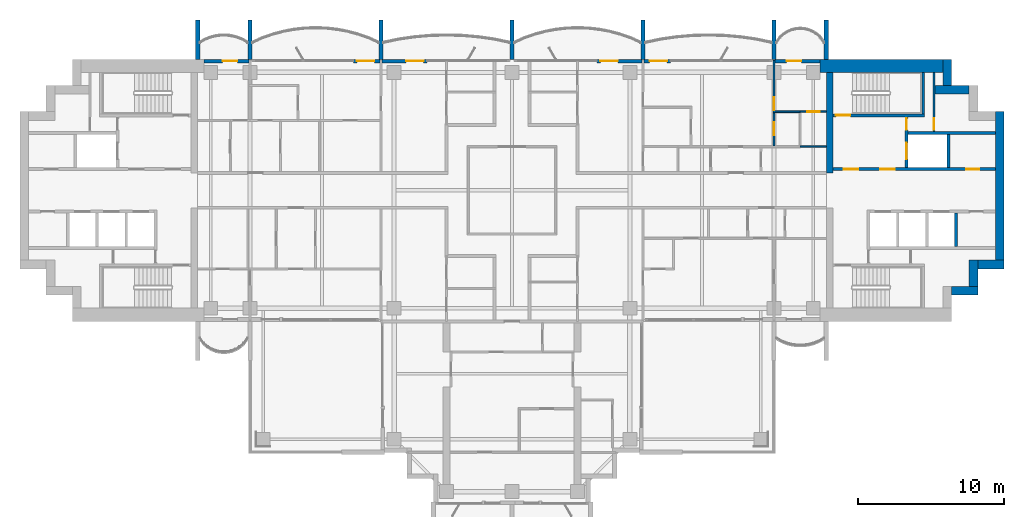
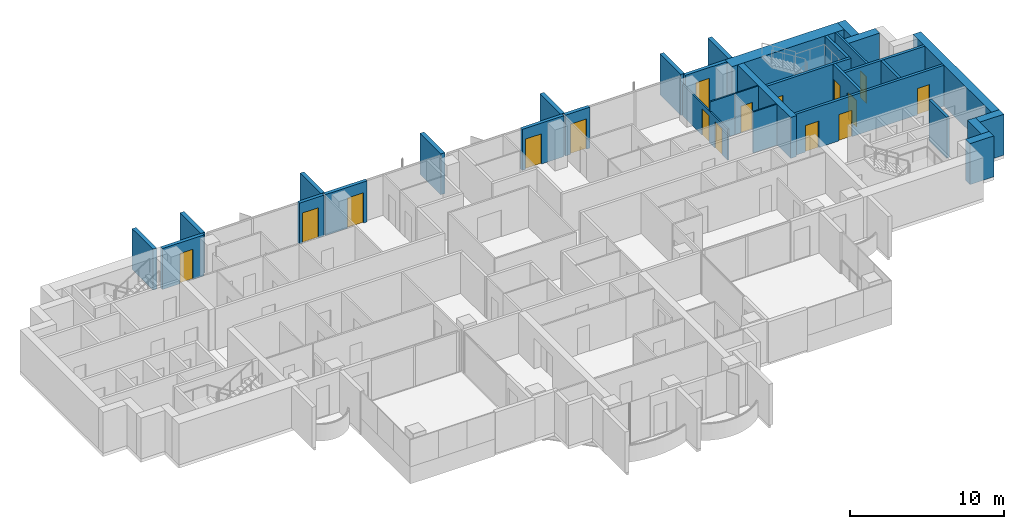
# One storey, part 13 of 18: 33 walls, 16 doors, 16 openings.
"""IFC4 building model written with IfcOpenShell, lengths in metres."""

from ifc_helpers import new_model, si_unit, direction, frame, frame_2d, origin, place, context, subcontext, project, spatial, rectangle, extrude, material, layer, layer_set, type_object, element, fill, save


model = new_model("IFC4")

# Units and contexts
model_context = context("Model", 3, precision=1e-05, world=origin(), true_north=direction((0.0, 1.0)))
body_context = subcontext(model_context, "Body", "Model", "MODEL_VIEW")
ifc_project = project(units=[si_unit("LENGTHUNIT", "METRE"), si_unit("AREAUNIT", "SQUARE_METRE"), si_unit("VOLUMEUNIT", "CUBIC_METRE"), si_unit("PLANEANGLEUNIT", "RADIAN"), si_unit("MASSUNIT", "GRAM", prefix="KILO")], contexts=[model_context])

# Site, building, storey
site_placement = place(None, origin())
site = spatial("IfcSite", under=ifc_project, at=site_placement, CompositionType="ELEMENT")
building_placement = place(site_placement, origin())
building = spatial("IfcBuilding", under=site, at=building_placement, Name="Perihelion Cross Residences", CompositionType="ELEMENT")
storey_placement = place(building_placement, frame((0.0, 0.0, 173.60009765625)))
storey = spatial("IfcBuildingStorey", under=building, at=storey_placement, Name="L42", CompositionType="ELEMENT", Elevation=173.60009765625)

# Wall, opening, door
ifc_material_1 = material(Name="Concrete C30/37, bronze-clad", Category="concrete")
ifc_layer_1 = layer(ifc_material_1, 0.25)
ifc_layer_set_1 = layer_set([ifc_layer_1], Name="Bronze-clad pier wall 250")
wall_type_1 = type_object("IfcWallType", Name="Bronze-clad pier wall 250", PredefinedType="SOLIDWALL", material=ifc_layer_set_1)
wall_1_placement = place(storey_placement, frame((21.175048828125, 8.875, 0.0), z_axis=(0.0, 0.0, 1.0), x_axis=(-1.0, 0.0, 0.0)))
wall_1 = element("IfcWall", 1, at=wall_1_placement, inside=storey, type_object=wall_type_1, Name="Wall FW1 L42 east side north bay 1 pier", PredefinedType="SOLIDWALL", context=body_context, shape_type="SweptSolid", body=[
    extrude(rectangle(XDim=3.114990234375, YDim=0.25, at=frame_2d((1.5576171875, 0.0))), origin(), (0.0, 0.0, 1.0), 3.25),
])
opening_1_placement = place(wall_1_placement, frame((1.300048828125, 0.0, 0.0)))
opening_1 = element("IfcOpeningElement", 2, at=opening_1_placement, cuts=wall_1, Name="Opening L42.E01", PredefinedType="OPENING", context=body_context, shape_type="SweptSolid", body=[
    extrude(rectangle(XDim=1.0, YDim=2.39990234375, at=frame_2d((0.5, 1.199951171875))), frame((0.0, 0.135009765625, 0.0), z_axis=(0.0, -1.0, 0.0), x_axis=(1.0, 0.0, 0.0)), (0.0, 0.0, 1.0), 0.27001953125),
])
ifc_material_2 = material(Name="Bronze anodised aluminium, glazed", Category="aluminium")
door_type_1 = type_object("IfcDoorType", Name="Balcony door 1000 x 2400", OperationType="NOTDEFINED", PredefinedType="DOOR", material=ifc_material_2)
door_1_placement = place(opening_1_placement, origin())
door_1 = element("IfcDoor", 3, at=door_1_placement, inside=storey, type_object=door_type_1, Name="Door L42.E01 east side north bay 1", OperationType="SINGLE_SWING_LEFT", OverallHeight=2.39990234375, OverallWidth=1.0, PredefinedType="DOOR", context=body_context, shape_type="SweptSolid", body=[
    extrude(rectangle(XDim=1.0, YDim=2.39990234375, at=frame_2d((0.5, 1.199951171875))), frame((0.0, 0.02490234375, 0.0), z_axis=(0.0, -1.0, 0.0), x_axis=(1.0, 0.0, 0.0)), (0.0, 0.0, 1.0), 0.050048828125),
])
fill(opening_1, door_1)

wall_2_placement = place(storey_placement, frame((10.89990234375, 8.875, 0.0), z_axis=(0.0, 0.0, 1.0), x_axis=(-1.0, 0.0, 0.0)))
wall_2 = element("IfcWall", 4, at=wall_2_placement, inside=storey, type_object=wall_type_1, Name="Wall FW1 L42 east side north bay 2 pier", PredefinedType="SOLIDWALL", context=body_context, shape_type="SweptSolid", body=[
    extrude(rectangle(XDim=1.83984375, YDim=0.25, at=frame_2d((0.919921875, 0.0))), origin(), (0.0, 0.0, 1.0), 3.25),
])
opening_2_placement = place(wall_2_placement, frame((0.25, 0.0, 0.0)))
opening_2 = element("IfcOpeningElement", 5, at=opening_2_placement, cuts=wall_2, Name="Opening L42.E02", PredefinedType="OPENING", context=body_context, shape_type="SweptSolid", body=[
    extrude(rectangle(XDim=1.199951171875, YDim=2.39990234375, at=frame_2d((0.60009765625, 1.199951171875))), frame((0.0, 0.135009765625, 0.0), z_axis=(0.0, -1.0, 0.0), x_axis=(1.0, 0.0, 0.0)), (0.0, 0.0, 1.0), 0.27001953125),
])
ifc_material_3 = material(Name="Bronze anodised aluminium, glazed", Category="aluminium")
door_type_2 = type_object("IfcDoorType", Name="Balcony door 1200 x 2400", OperationType="NOTDEFINED", PredefinedType="DOOR", material=ifc_material_3)
door_2_placement = place(opening_2_placement, origin())
door_2 = element("IfcDoor", 6, at=door_2_placement, inside=storey, type_object=door_type_2, Name="Door L42.E02 east side north bay 2", OperationType="SINGLE_SWING_RIGHT", OverallHeight=2.39990234375, OverallWidth=1.199951171875, PredefinedType="DOOR", context=body_context, shape_type="SweptSolid", body=[
    extrude(rectangle(XDim=1.199951171875, YDim=2.39990234375, at=frame_2d((0.60009765625, 1.199951171875))), frame((0.0, 0.02490234375, 0.0), z_axis=(0.0, -1.0, 0.0), x_axis=(1.0, 0.0, 0.0)), (0.0, 0.0, 1.0), 0.050048828125),
])
fill(opening_2, door_2)

wall_3_placement = place(storey_placement, frame((8.93994140625, 8.875, 0.0), z_axis=(0.0, 0.0, 1.0), x_axis=(-1.0, 0.0, 0.0)))
wall_3 = element("IfcWall", 7, at=wall_3_placement, inside=storey, type_object=wall_type_1, Name="Wall FW1 L42 north side east bay 1 pier", PredefinedType="SOLIDWALL", context=body_context, shape_type="SweptSolid", body=[
    extrude(rectangle(XDim=3.114990234375, YDim=0.25, at=frame_2d((1.5576171875, 0.0))), origin(), (0.0, 0.0, 1.0), 3.25),
])
opening_3_placement = place(wall_3_placement, frame((1.6650390625, 0.0, 0.0)))
opening_3 = element("IfcOpeningElement", 8, at=opening_3_placement, cuts=wall_3, Name="Opening L42.E03", PredefinedType="OPENING", context=body_context, shape_type="SweptSolid", body=[
    extrude(rectangle(XDim=1.199951171875, YDim=2.39990234375, at=frame_2d((0.60009765625, 1.199951171875))), frame((0.0, 0.135009765625, 0.0), z_axis=(0.0, -1.0, 0.0), x_axis=(1.0, 0.0, 0.0)), (0.0, 0.0, 1.0), 0.27001953125),
])
door_3_placement = place(opening_3_placement, origin())
door_3 = element("IfcDoor", 9, at=door_3_placement, inside=storey, type_object=door_type_2, Name="Door L42.E03 north side east bay 1", OperationType="SINGLE_SWING_LEFT", OverallHeight=2.39990234375, OverallWidth=1.199951171875, PredefinedType="DOOR", context=body_context, shape_type="SweptSolid", body=[
    extrude(rectangle(XDim=1.199951171875, YDim=2.39990234375, at=frame_2d((0.60009765625, 1.199951171875))), frame((0.0, 0.02490234375, 0.0), z_axis=(0.0, -1.0, 0.0), x_axis=(1.0, 0.0, 0.0)), (0.0, 0.0, 1.0), 0.050048828125),
])
fill(opening_3, door_3)

wall_4_placement = place(storey_placement, frame((-5.824951171875, 8.875, 0.0), z_axis=(0.0, 0.0, 1.0), x_axis=(-1.0, 0.0, 0.0)))
wall_4 = element("IfcWall", 10, at=wall_4_placement, inside=storey, type_object=wall_type_1, Name="Wall FW1 L42 north side east bay 2 pier", PredefinedType="SOLIDWALL", context=body_context, shape_type="SweptSolid", body=[
    extrude(rectangle(XDim=3.114990234375, YDim=0.25, at=frame_2d((1.5576171875, 0.0))), origin(), (0.0, 0.0, 1.0), 3.25),
])
opening_4_placement = place(wall_4_placement, frame((0.25, 0.0, 0.0)))
opening_4 = element("IfcOpeningElement", 11, at=opening_4_placement, cuts=wall_4, Name="Opening L42.E04", PredefinedType="OPENING", context=body_context, shape_type="SweptSolid", body=[
    extrude(rectangle(XDim=1.199951171875, YDim=2.39990234375, at=frame_2d((0.60009765625, 1.199951171875))), frame((0.0, 0.135009765625, 0.0), z_axis=(0.0, -1.0, 0.0), x_axis=(1.0, 0.0, 0.0)), (0.0, 0.0, 1.0), 0.27001953125),
])
door_4_placement = place(opening_4_placement, origin())
door_4 = element("IfcDoor", 12, at=door_4_placement, inside=storey, type_object=door_type_2, Name="Door L42.E04 north side east bay 2", OperationType="SINGLE_SWING_RIGHT", OverallHeight=2.39990234375, OverallWidth=1.199951171875, PredefinedType="DOOR", context=body_context, shape_type="SweptSolid", body=[
    extrude(rectangle(XDim=1.199951171875, YDim=2.39990234375, at=frame_2d((0.60009765625, 1.199951171875))), frame((0.0, 0.02490234375, 0.0), z_axis=(0.0, -1.0, 0.0), x_axis=(1.0, 0.0, 0.0)), (0.0, 0.0, 1.0), 0.050048828125),
])
fill(opening_4, door_4)

wall_5_placement = place(storey_placement, frame((-9.06005859375, 8.875, 0.0), z_axis=(0.0, 0.0, 1.0), x_axis=(-1.0, 0.0, 0.0)))
wall_5 = element("IfcWall", 13, at=wall_5_placement, inside=storey, type_object=wall_type_1, Name="Wall FW1 L42 west side north bay 1 pier", PredefinedType="SOLIDWALL", context=body_context, shape_type="SweptSolid", body=[
    extrude(rectangle(XDim=1.83984375, YDim=0.25, at=frame_2d((0.919921875, 0.0))), origin(), (0.0, 0.0, 1.0), 3.25),
])
opening_5_placement = place(wall_5_placement, frame((0.389892578125, 0.0, 0.0)))
opening_5 = element("IfcOpeningElement", 14, at=opening_5_placement, cuts=wall_5, Name="Opening L42.E05", PredefinedType="OPENING", context=body_context, shape_type="SweptSolid", body=[
    extrude(rectangle(XDim=1.199951171875, YDim=2.39990234375, at=frame_2d((0.60009765625, 1.199951171875))), frame((0.0, 0.135009765625, 0.0), z_axis=(0.0, -1.0, 0.0), x_axis=(1.0, 0.0, 0.0)), (0.0, 0.0, 1.0), 0.27001953125),
])
door_5_placement = place(opening_5_placement, origin())
door_5 = element("IfcDoor", 15, at=door_5_placement, inside=storey, type_object=door_type_2, Name="Door L42.E05 west side north bay 1", OperationType="SINGLE_SWING_LEFT", OverallHeight=2.39990234375, OverallWidth=1.199951171875, PredefinedType="DOOR", context=body_context, shape_type="SweptSolid", body=[
    extrude(rectangle(XDim=1.199951171875, YDim=2.39990234375, at=frame_2d((0.60009765625, 1.199951171875))), frame((0.0, 0.02490234375, 0.0), z_axis=(0.0, -1.0, 0.0), x_axis=(1.0, 0.0, 0.0)), (0.0, 0.0, 1.0), 0.050048828125),
])
fill(opening_5, door_5)

wall_6_placement = place(storey_placement, frame((-18.06005859375, 8.875, 0.0), z_axis=(0.0, 0.0, 1.0), x_axis=(-1.0, 0.0, 0.0)))
wall_6 = element("IfcWall", 16, at=wall_6_placement, inside=storey, type_object=wall_type_1, Name="Wall FW1 L42 west side north bay 2 pier", PredefinedType="SOLIDWALL", context=body_context, shape_type="SweptSolid", body=[
    extrude(rectangle(XDim=3.114990234375, YDim=0.25, at=frame_2d((1.5576171875, 0.0))), origin(), (0.0, 0.0, 1.0), 3.25),
])
opening_6_placement = place(wall_6_placement, frame((0.81494140625, 0.0, 0.0)))
opening_6 = element("IfcOpeningElement", 17, at=opening_6_placement, cuts=wall_6, Name="Opening L42.E06", PredefinedType="OPENING", context=body_context, shape_type="SweptSolid", body=[
    extrude(rectangle(XDim=1.0, YDim=2.39990234375, at=frame_2d((0.5, 1.199951171875))), frame((0.0, 0.135009765625, 0.0), z_axis=(0.0, -1.0, 0.0), x_axis=(1.0, 0.0, 0.0)), (0.0, 0.0, 1.0), 0.27001953125),
])
door_6_placement = place(opening_6_placement, origin())
door_6 = element("IfcDoor", 18, at=door_6_placement, inside=storey, type_object=door_type_1, Name="Door L42.E06 west side north bay 2", OperationType="SINGLE_SWING_RIGHT", OverallHeight=2.39990234375, OverallWidth=1.0, PredefinedType="DOOR", context=body_context, shape_type="SweptSolid", body=[
    extrude(rectangle(XDim=1.0, YDim=2.39990234375, at=frame_2d((0.5, 1.199951171875))), frame((0.0, 0.02490234375, 0.0), z_axis=(0.0, -1.0, 0.0), x_axis=(1.0, 0.0, 0.0)), (0.0, 0.0, 1.0), 0.050048828125),
])
fill(opening_6, door_6)

# Walls
ifc_material_4 = material(Name="Concrete C60/75", Category="concrete")
ifc_layer_2 = layer(ifc_material_4, 0.449951171875)
ifc_layer_set_2 = layer_set([ifc_layer_2], Name="Core wall, inner 450")
wall_type_2 = type_object("IfcWallType", Name="Core wall, inner 450", PredefinedType="SHEAR", material=ifc_layer_set_2)
wall_7_placement = place(storey_placement, frame((21.824951171875, 1.199951171875, 0.0), z_axis=(0.0, 0.0, 1.0), x_axis=(0.0, 1.0, 0.0)))
element("IfcWall", 19, at=wall_7_placement, inside=storey, type_object=wall_type_2, Name="East core core wall, inner", PredefinedType="SHEAR", context=body_context, shape_type="SweptSolid", body=[
    extrude(rectangle(XDim=6.900146484375, YDim=0.449951171875, at=frame_2d((3.4501953125, 0.0))), origin(), (0.0, 0.0, 1.0), 3.25),
])
ifc_material_5 = material(Name="Concrete C60/75", Category="concrete")
ifc_layer_3 = layer(ifc_material_5, 0.60009765625)
ifc_layer_set_3 = layer_set([ifc_layer_3], Name="Core wall, outer 600")
wall_type_3 = type_object("IfcWallType", Name="Core wall, outer 600", PredefinedType="SHEAR", material=ifc_layer_set_3)
for number, where, z_axis, x_axis, name in (
    (20, (30.199951171875, -6.89990234375, 0.0), (0.0, 0.0, 1.0), (1.0, 0.0, 0.0), "East core core wall, outer"),
    (21, (31.699951171875, -6.60009765625, 0.0), (0.0, 0.0, 1.0), (0.0, 1.0, 0.0), "East core core wall, outer"),
    (22, (32.0, -5.10009765625, 0.0), (0.0, 0.0, 1.0), (1.0, 0.0, 0.0), "East core core wall, outer"),
):
    element("IfcWall", number, at=place(storey_placement, frame(where, z_axis=z_axis, x_axis=x_axis)), inside=storey, type_object=wall_type_3, Name=name, PredefinedType="SHEAR", context=body_context, shape_type="SweptSolid", body=[
        extrude(rectangle(XDim=1.800048828125, YDim=0.60009765625, at=frame_2d((0.89990234375, 0.0))), origin(), (0.0, 0.0, 1.0), 3.25),
    ])
wall_8_placement = place(storey_placement, frame((33.5, -4.800048828125, 0.0), z_axis=(0.0, 0.0, 1.0), x_axis=(0.0, 1.0, 0.0)))
element("IfcWall", 23, at=wall_8_placement, inside=storey, type_object=wall_type_3, Name="East core core wall, outer", PredefinedType="SHEAR", context=body_context, shape_type="SweptSolid", body=[
    extrude(rectangle(XDim=10.199951171875, YDim=0.60009765625, at=frame_2d((5.10009765625, 0.0))), origin(), (0.0, 0.0, 1.0), 3.25),
])
wall_9_placement = place(storey_placement, frame((29.074951171875, 6.89990234375, 0.0), z_axis=(0.0, 0.0, 1.0), x_axis=(1.0, 0.0, 0.0)))
element("IfcWall", 24, at=wall_9_placement, inside=storey, type_object=wall_type_3, Name="East core core wall, outer", PredefinedType="SHEAR", context=body_context, shape_type="SweptSolid", body=[
    extrude(rectangle(XDim=2.324951171875, YDim=0.60009765625, at=frame_2d((1.16259765625, 0.0))), origin(), (0.0, 0.0, 1.0), 3.25),
])
wall_10_placement = place(storey_placement, frame((29.89990234375, 7.199951171875, 0.0), z_axis=(0.0, 0.0, 1.0), x_axis=(0.0, 1.0, 0.0)))
element("IfcWall", 25, at=wall_10_placement, inside=storey, type_object=wall_type_3, Name="East core core wall, outer", PredefinedType="SHEAR", context=body_context, shape_type="SweptSolid", body=[
    extrude(rectangle(XDim=1.800048828125, YDim=0.60009765625, at=frame_2d((0.89990234375, 0.0))), origin(), (0.0, 0.0, 1.0), 3.25),
])
ifc_material_6 = material(Name="Concrete C60/75", Category="concrete")
ifc_layer_4 = layer(ifc_material_6, 0.89990234375)
ifc_layer_set_4 = layer_set([ifc_layer_4], Name="Core wall, outer 900")
wall_type_4 = type_object("IfcWallType", Name="Core wall, outer 900", PredefinedType="SHEAR", material=ifc_layer_set_4)
wall_11_placement = place(storey_placement, frame((21.175048828125, 8.550048828125, 0.0), z_axis=(0.0, 0.0, 1.0), x_axis=(1.0, 0.0, 0.0)))
element("IfcWall", 26, at=wall_11_placement, inside=storey, type_object=wall_type_4, Name="East core core wall, outer", PredefinedType="SHEAR", context=body_context, shape_type="SweptSolid", body=[
    extrude(rectangle(XDim=8.425048828125, YDim=0.89990234375, at=frame_2d((4.21240234375, 0.0))), origin(), (0.0, 0.0, 1.0), 3.25),
])

# Wall, openings, doors
ifc_material_7 = material(Name="Plasterboard partition")
ifc_layer_5 = layer(ifc_material_7, 0.1201171875)
ifc_layer_set_5 = layer_set([ifc_layer_5], Name="Partition wall 120")
wall_type_5 = type_object("IfcWallType", Name="Partition wall 120", PredefinedType="PARTITIONING", material=ifc_layer_set_5)
wall_12_placement = place(storey_placement, frame((18.0, 8.919921875, 0.0), z_axis=(0.0, 0.0, 1.0), x_axis=(0.0, -1.0, 0.0)))
wall_12 = element("IfcWall", 27, at=wall_12_placement, inside=storey, type_object=wall_type_5, Name="Partition L42 W031", PredefinedType="PARTITIONING", context=body_context, shape_type="SweptSolid", body=[
    extrude(rectangle(XDim=5.85986328125, YDim=0.1201171875, at=frame_2d((2.929931640625, 0.0))), origin(), (0.0, 0.0, 1.0), 2.47998046875),
])
opening_7_placement = place(wall_12_placement, frame((2.52001953125, 0.0, 0.0)))
opening_7 = element("IfcOpeningElement", 28, at=opening_7_placement, cuts=wall_12, Name="Opening L42.A02", PredefinedType="OPENING", context=body_context, shape_type="SweptSolid", body=[
    extrude(rectangle(XDim=0.89990234375, YDim=2.10009765625, at=frame_2d((0.449951171875, 1.050048828125))), frame((0.0, 0.070068359375, 0.0), z_axis=(0.0, -1.0, 0.0), x_axis=(1.0, 0.0, 0.0)), (0.0, 0.0, 1.0), 0.14013671875),
])
opening_8_placement = place(wall_12_placement, frame((4.239990234375, 0.0, 0.0)))
opening_8 = element("IfcOpeningElement", 29, at=opening_8_placement, cuts=wall_12, Name="Opening L42.A05", PredefinedType="OPENING", context=body_context, shape_type="SweptSolid", body=[
    extrude(rectangle(XDim=0.89990234375, YDim=2.10009765625, at=frame_2d((0.449951171875, 1.050048828125))), frame((0.0, 0.070068359375, 0.0), z_axis=(0.0, -1.0, 0.0), x_axis=(1.0, 0.0, 0.0)), (0.0, 0.0, 1.0), 0.14013671875),
])
ifc_material_8 = material(Name="Timber door leaf", Category="wood")
door_type_3 = type_object("IfcDoorType", Name="Interior room door 900 x 2100", OperationType="SINGLE_SWING_LEFT", PredefinedType="DOOR", material=ifc_material_8)
door_7_placement = place(opening_7_placement, origin())
door_7 = element("IfcDoor", 30, at=door_7_placement, inside=storey, type_object=door_type_3, Name="Door L42.A02", OperationType="SINGLE_SWING_LEFT", OverallHeight=2.10009765625, OverallWidth=0.89990234375, PredefinedType="DOOR", context=body_context, shape_type="SweptSolid", body=[
    extrude(rectangle(XDim=0.89990234375, YDim=2.10009765625, at=frame_2d((0.449951171875, 1.050048828125))), frame((0.0, 0.02490234375, 0.0), z_axis=(0.0, -1.0, 0.0), x_axis=(1.0, 0.0, 0.0)), (0.0, 0.0, 1.0), 0.050048828125),
])
fill(opening_7, door_7)
door_8_placement = place(opening_8_placement, origin())
door_8 = element("IfcDoor", 31, at=door_8_placement, inside=storey, type_object=door_type_3, Name="Door L42.A05", OperationType="SINGLE_SWING_RIGHT", OverallHeight=2.10009765625, OverallWidth=0.89990234375, PredefinedType="DOOR", context=body_context, shape_type="SweptSolid", body=[
    extrude(rectangle(XDim=0.89990234375, YDim=2.10009765625, at=frame_2d((0.449951171875, 1.050048828125))), frame((0.0, 0.02490234375, 0.0), z_axis=(0.0, -1.0, 0.0), x_axis=(1.0, 0.0, 0.0)), (0.0, 0.0, 1.0), 0.050048828125),
])
fill(opening_8, door_8)

# Walls
wall_13_placement = place(storey_placement, frame((17.93994140625, 5.39990234375, 0.0), z_axis=(0.0, 0.0, 1.0), x_axis=(1.0, 0.0, 0.0)))
element("IfcWall", 32, at=wall_13_placement, inside=storey, type_object=wall_type_5, Name="Partition L42 W034", PredefinedType="PARTITIONING", context=body_context, shape_type="SweptSolid", body=[
    extrude(rectangle(XDim=1.860107421875, YDim=0.1201171875, at=frame_2d((0.93017578125, 0.0))), origin(), (0.0, 0.0, 1.0), 3.25),
])
ifc_material_9 = material(Name="Precast concrete C50/60", Category="concrete")
ifc_layer_6 = layer(ifc_material_9, 0.300048828125)
ifc_layer_set_6 = layer_set([ifc_layer_6], Name="Precast concrete C50/60 blade wall 300")
wall_type_6 = type_object("IfcWallType", Name="Precast concrete C50/60 blade wall 300", PredefinedType="SOLIDWALL", material=ifc_layer_set_6)
for number, where, z_axis, x_axis, name in (
    (33, (-21.60009765625, 9.0, 0.0), (0.0, 0.0, 1.0), (0.0, 1.0, 0.0), "Wall BL1 L42 no. 4"),
    (34, (-18.0, 9.0, 0.0), (0.0, 0.0, 1.0), (0.0, 1.0, 0.0), "Wall BL1 L42 no. 2"),
    (35, (-9.0, 9.0, 0.0), (0.0, 0.0, 1.0), (0.0, 1.0, 0.0), "Wall BL1 L42 no. 7"),
    (36, (0.0, 9.0, 0.0), (0.0, 0.0, 1.0), (0.0, 1.0, 0.0), "Wall BL1 L42 no. 9"),
    (37, (9.0, 9.0, 0.0), (0.0, 0.0, 1.0), (0.0, 1.0, 0.0), "Wall BL1 L42 no. 16"),
    (38, (18.0, 9.0, 0.0), (0.0, 0.0, 1.0), (0.0, 1.0, 0.0), "Wall BL1 L42 no. 11"),
    (39, (21.60009765625, 9.0, 0.0), (0.0, 0.0, 1.0), (0.0, 1.0, 0.0), "Wall BL1 L42 no. 13"),
):
    element("IfcWall", number, at=place(storey_placement, frame(where, z_axis=z_axis, x_axis=x_axis)), inside=storey, type_object=wall_type_6, Name=name, PredefinedType="SOLIDWALL", context=body_context, shape_type="SweptSolid", body=[
        extrude(rectangle(XDim=2.699951171875, YDim=0.300048828125, at=frame_2d((1.35009765625, 0.0))), origin(), (0.0, 0.0, 1.0), 3.25),
    ])

# Wall, opening, door
ifc_material_10 = material(Name="Fire-rated board on steel stud", Category="steel")
ifc_layer_7 = layer(ifc_material_10, 0.14990234375)
ifc_layer_set_7 = layer_set([ifc_layer_7], Name="Riser wall 150")
wall_type_7 = type_object("IfcWallType", Name="Riser wall 150", PredefinedType="PARTITIONING", material=ifc_layer_set_7)
wall_14_placement = place(storey_placement, frame((29.0, 4.050048828125, 0.0), z_axis=(0.0, 0.0, 1.0), x_axis=(0.0, 1.0, 0.0)))
wall_14 = element("IfcWall", 40, at=wall_14_placement, inside=storey, type_object=wall_type_7, Name="East core riser wall", PredefinedType="PARTITIONING", context=body_context, shape_type="SweptSolid", body=[
    extrude(rectangle(XDim=4.050048828125, YDim=0.14990234375, at=frame_2d((2.02490234375, 0.0))), origin(), (0.0, 0.0, 1.0), 3.25),
])
opening_9_placement = place(wall_14_placement, frame((0.10009765625, 0.0, 0.0)))
opening_9 = element("IfcOpeningElement", 41, at=opening_9_placement, cuts=wall_14, Name="Opening L42.C12", PredefinedType="OPENING", context=body_context, shape_type="SweptSolid", body=[
    extrude(rectangle(XDim=0.800048828125, YDim=2.10009765625, at=frame_2d((0.39990234375, 1.050048828125))), frame((0.0, 0.0849609375, 0.0), z_axis=(0.0, -1.0, 0.0), x_axis=(1.0, 0.0, 0.0)), (0.0, 0.0, 1.0), 0.169921875),
])
ifc_material_11 = material(Name="Steel, powder coated", Category="steel")
door_type_4 = type_object("IfcDoorType", Name="Riser door 800", OperationType="SINGLE_SWING_LEFT", PredefinedType="DOOR", material=ifc_material_11)
door_9_placement = place(opening_9_placement, origin())
door_9 = element("IfcDoor", 42, at=door_9_placement, inside=storey, type_object=door_type_4, Name="East core riser door", OperationType="SINGLE_SWING_LEFT", OverallHeight=2.10009765625, OverallWidth=0.800048828125, PredefinedType="DOOR", context=body_context, shape_type="SweptSolid", body=[
    extrude(rectangle(XDim=0.800048828125, YDim=2.10009765625, at=frame_2d((0.39990234375, 1.050048828125))), frame((0.0, 0.02490234375, 0.0), z_axis=(0.0, -1.0, 0.0), x_axis=(1.0, 0.0, 0.0)), (0.0, 0.0, 1.0), 0.050048828125),
])
fill(opening_9, door_9)

# Wall, openings, doors
ifc_material_12 = material(Name="Concrete C50/60", Category="concrete")
ifc_layer_8 = layer(ifc_material_12, 0.199951171875)
ifc_layer_set_8 = layer_set([ifc_layer_8], Name="Shaft wall 200")
wall_type_8 = type_object("IfcWallType", Name="Shaft wall 200", PredefinedType="SOLIDWALL", material=ifc_layer_set_8)
wall_15_placement = place(storey_placement, frame((22.050048828125, 1.449951171875, 0.0), z_axis=(0.0, 0.0, 1.0), x_axis=(1.0, 0.0, 0.0)))
wall_15 = element("IfcWall", 43, at=wall_15_placement, inside=storey, type_object=wall_type_8, Name="East core shaft wall", PredefinedType="SOLIDWALL", context=body_context, shape_type="SweptSolid", body=[
    extrude(rectangle(XDim=11.14990234375, YDim=0.199951171875, at=frame_2d((5.574951171875, 0.0))), origin(), (0.0, 0.0, 1.0), 3.25),
])
opening_10_placement = place(wall_15_placement, frame((0.75, 0.0, 0.0)))
opening_10 = element("IfcOpeningElement", 44, at=opening_10_placement, cuts=wall_15, Name="Opening L42.C07", PredefinedType="OPENING", context=body_context, shape_type="SweptSolid", body=[
    extrude(rectangle(XDim=1.0, YDim=2.10009765625, at=frame_2d((0.5, 1.050048828125))), frame((0.0, 0.10986328125, 0.0), z_axis=(0.0, -1.0, 0.0), x_axis=(1.0, 0.0, 0.0)), (0.0, 0.0, 1.0), 0.219970703125),
])
opening_11_placement = place(wall_15_placement, frame((3.25, 0.0, 0.0)))
opening_11 = element("IfcOpeningElement", 45, at=opening_11_placement, cuts=wall_15, Name="Opening L42.C09", PredefinedType="OPENING", context=body_context, shape_type="SweptSolid", body=[
    extrude(rectangle(XDim=1.0, YDim=2.10009765625, at=frame_2d((0.5, 1.050048828125))), frame((0.0, 0.10986328125, 0.0), z_axis=(0.0, -1.0, 0.0), x_axis=(1.0, 0.0, 0.0)), (0.0, 0.0, 1.0), 0.219970703125),
])
opening_12_placement = place(wall_15_placement, frame((9.14990234375, 0.0, 0.0)))
opening_12 = element("IfcOpeningElement", 46, at=opening_12_placement, cuts=wall_15, Name="Opening L42.C13", PredefinedType="OPENING", context=body_context, shape_type="SweptSolid", body=[
    extrude(rectangle(XDim=0.89990234375, YDim=2.10009765625, at=frame_2d((0.449951171875, 1.050048828125))), frame((0.0, 0.10986328125, 0.0), z_axis=(0.0, -1.0, 0.0), x_axis=(1.0, 0.0, 0.0)), (0.0, 0.0, 1.0), 0.219970703125),
])
ifc_material_13 = material(Name="Steel, powder coated", Category="steel")
door_type_5 = type_object("IfcDoorType", Name="Lobby door 1000", OperationType="SINGLE_SWING_LEFT", PredefinedType="DOOR", material=ifc_material_13)
door_10_placement = place(opening_10_placement, origin())
door_10 = element("IfcDoor", 47, at=door_10_placement, inside=storey, type_object=door_type_5, Name="East core firefighting lobby door", OperationType="SINGLE_SWING_LEFT", OverallHeight=2.10009765625, OverallWidth=1.0, PredefinedType="DOOR", context=body_context, shape_type="SweptSolid", body=[
    extrude(rectangle(XDim=1.0, YDim=2.10009765625, at=frame_2d((0.5, 1.050048828125))), frame((0.0, 0.02490234375, 0.0), z_axis=(0.0, -1.0, 0.0), x_axis=(1.0, 0.0, 0.0)), (0.0, 0.0, 1.0), 0.050048828125),
])
fill(opening_10, door_10)
door_11_placement = place(opening_11_placement, origin())
door_11 = element("IfcDoor", 48, at=door_11_placement, inside=storey, type_object=door_type_5, Name="East core firefighting lobby door", OperationType="SINGLE_SWING_LEFT", OverallHeight=2.10009765625, OverallWidth=1.0, PredefinedType="DOOR", context=body_context, shape_type="SweptSolid", body=[
    extrude(rectangle(XDim=1.0, YDim=2.10009765625, at=frame_2d((0.5, 1.050048828125))), frame((0.0, 0.02490234375, 0.0), z_axis=(0.0, -1.0, 0.0), x_axis=(1.0, 0.0, 0.0)), (0.0, 0.0, 1.0), 0.050048828125),
])
fill(opening_11, door_11)
ifc_material_14 = material(Name="Steel, powder coated", Category="steel")
door_type_6 = type_object("IfcDoorType", Name="Service room door 900", OperationType="SINGLE_SWING_LEFT", PredefinedType="DOOR", material=ifc_material_14)
door_12_placement = place(opening_12_placement, origin())
door_12 = element("IfcDoor", 49, at=door_12_placement, inside=storey, type_object=door_type_6, Name="East core service room door", OperationType="SINGLE_SWING_LEFT", OverallHeight=2.10009765625, OverallWidth=0.89990234375, PredefinedType="DOOR", context=body_context, shape_type="SweptSolid", body=[
    extrude(rectangle(XDim=0.89990234375, YDim=2.10009765625, at=frame_2d((0.449951171875, 1.050048828125))), frame((0.0, 0.02490234375, 0.0), z_axis=(0.0, -1.0, 0.0), x_axis=(1.0, 0.0, 0.0)), (0.0, 0.0, 1.0), 0.050048828125),
])
fill(opening_12, door_12)

# Wall
wall_16_placement = place(storey_placement, frame((27.199951171875, 3.949951171875, 0.0), z_axis=(0.0, 0.0, 1.0), x_axis=(1.0, 0.0, 0.0)))
element("IfcWall", 50, at=wall_16_placement, inside=storey, type_object=wall_type_8, Name="East core shaft wall", PredefinedType="SOLIDWALL", context=body_context, shape_type="SweptSolid", body=[
    extrude(rectangle(XDim=6.0, YDim=0.199951171875, at=frame_2d((3.0, 0.0))), origin(), (0.0, 0.0, 1.0), 3.25),
])

# Wall, openings, doors
wall_17_placement = place(storey_placement, frame((27.10009765625, 1.550048828125, 0.0), z_axis=(0.0, 0.0, 1.0), x_axis=(0.0, 1.0, 0.0)))
wall_17 = element("IfcWall", 51, at=wall_17_placement, inside=storey, type_object=wall_type_8, Name="East core shaft wall", PredefinedType="SOLIDWALL", context=body_context, shape_type="SweptSolid", body=[
    extrude(rectangle(XDim=3.5, YDim=0.199951171875, at=frame_2d((1.75, 0.0))), origin(), (0.0, 0.0, 1.0), 3.25),
])
opening_13_placement = place(wall_17_placement, frame((0.60009765625, 0.0, 0.0)))
opening_13 = element("IfcOpeningElement", 52, at=opening_13_placement, cuts=wall_17, Name="Opening L42.C02", PredefinedType="OPENING", context=body_context, shape_type="SweptSolid", body=[
    extrude(rectangle(XDim=1.10009765625, YDim=2.10009765625, at=frame_2d((0.550048828125, 1.050048828125))), frame((0.0, 0.10986328125, 0.0), z_axis=(0.0, -1.0, 0.0), x_axis=(1.0, 0.0, 0.0)), (0.0, 0.0, 1.0), 0.219970703125),
])
opening_14_placement = place(wall_17_placement, frame((2.60009765625, 0.0, 0.0)))
opening_14 = element("IfcOpeningElement", 53, at=opening_14_placement, cuts=wall_17, Name="Opening L42.C10", PredefinedType="OPENING", context=body_context, shape_type="SweptSolid", body=[
    extrude(rectangle(XDim=0.800048828125, YDim=2.10009765625, at=frame_2d((0.39990234375, 1.050048828125))), frame((0.0, 0.10986328125, 0.0), z_axis=(0.0, -1.0, 0.0), x_axis=(1.0, 0.0, 0.0)), (0.0, 0.0, 1.0), 0.219970703125),
])
ifc_material_15 = material(Name="Stainless steel", Category="steel")
door_type_7 = type_object("IfcDoorType", Name="Landing door, firefighting lift 1100", OperationType="DOUBLE_DOOR_SLIDING", PredefinedType="DOOR", material=ifc_material_15)
door_13_placement = place(opening_13_placement, origin())
door_13 = element("IfcDoor", 54, at=door_13_placement, inside=storey, type_object=door_type_7, Name="Landing door, East core firefighting and service lift", OperationType="DOUBLE_DOOR_SLIDING", OverallHeight=2.10009765625, OverallWidth=1.10009765625, PredefinedType="DOOR", context=body_context, shape_type="SweptSolid", body=[
    extrude(rectangle(XDim=1.10009765625, YDim=2.10009765625, at=frame_2d((0.550048828125, 1.050048828125))), frame((0.0, 0.02490234375, 0.0), z_axis=(0.0, -1.0, 0.0), x_axis=(1.0, 0.0, 0.0)), (0.0, 0.0, 1.0), 0.050048828125),
])
fill(opening_13, door_13)
door_14_placement = place(opening_14_placement, origin())
door_14 = element("IfcDoor", 55, at=door_14_placement, inside=storey, type_object=door_type_4, Name="East core riser door", OperationType="SINGLE_SWING_LEFT", OverallHeight=2.10009765625, OverallWidth=0.800048828125, PredefinedType="DOOR", context=body_context, shape_type="SweptSolid", body=[
    extrude(rectangle(XDim=0.800048828125, YDim=2.10009765625, at=frame_2d((0.39990234375, 1.050048828125))), frame((0.0, 0.02490234375, 0.0), z_axis=(0.0, -1.0, 0.0), x_axis=(1.0, 0.0, 0.0)), (0.0, 0.0, 1.0), 0.050048828125),
])
fill(opening_14, door_14)

# Walls
for number, where, z_axis, x_axis, name in (
    (56, (30.0, 1.550048828125, 0.0), (0.0, 0.0, 1.0), (0.0, 1.0, 0.0), "East core shaft wall"),
    (57, (30.5, -3.85009765625, 0.0), (0.0, 0.0, 1.0), (0.0, 1.0, 0.0), "East core shaft wall"),
):
    element("IfcWall", number, at=place(storey_placement, frame(where, z_axis=z_axis, x_axis=x_axis)), inside=storey, type_object=wall_type_8, Name=name, PredefinedType="SOLIDWALL", context=body_context, shape_type="SweptSolid", body=[
        extrude(rectangle(XDim=2.300048828125, YDim=0.199951171875, at=frame_2d((1.14990234375, 0.0))), origin(), (0.0, 0.0, 1.0), 3.25),
    ])

# Wall, opening, door
ifc_material_16 = material(Name="Concrete C50/60", Category="concrete")
ifc_layer_9 = layer(ifc_material_16, 0.199951171875)
ifc_layer_set_9 = layer_set([ifc_layer_9], Name="Stair wall 200")
wall_type_9 = type_object("IfcWallType", Name="Stair wall 200", PredefinedType="SOLIDWALL", material=ifc_layer_set_9)
wall_18_placement = place(storey_placement, frame((22.050048828125, 5.14990234375, 0.0), z_axis=(0.0, 0.0, 1.0), x_axis=(1.0, 0.0, 0.0)))
wall_18 = element("IfcWall", 58, at=wall_18_placement, inside=storey, type_object=wall_type_9, Name="East core stair wall", PredefinedType="SOLIDWALL", context=body_context, shape_type="SweptSolid", body=[
    extrude(rectangle(XDim=6.300048828125, YDim=0.199951171875, at=frame_2d((3.14990234375, 0.0))), origin(), (0.0, 0.0, 1.0), 3.25),
])
opening_15_placement = place(wall_18_placement, frame((0.199951171875, 0.0, 0.0)))
opening_15 = element("IfcOpeningElement", 59, at=opening_15_placement, cuts=wall_18, Name="Opening L42.C06", PredefinedType="OPENING", context=body_context, shape_type="SweptSolid", body=[
    extrude(rectangle(XDim=1.0, YDim=2.10009765625, at=frame_2d((0.5, 1.050048828125))), frame((0.0, 0.10986328125, 0.0), z_axis=(0.0, -1.0, 0.0), x_axis=(1.0, 0.0, 0.0)), (0.0, 0.0, 1.0), 0.219970703125),
])
ifc_material_17 = material(Name="Steel, powder coated", Category="steel")
door_type_8 = type_object("IfcDoorType", Name="Stair door 1000", OperationType="SINGLE_SWING_LEFT", PredefinedType="DOOR", material=ifc_material_17)
door_15_placement = place(opening_15_placement, origin())
door_15 = element("IfcDoor", 60, at=door_15_placement, inside=storey, type_object=door_type_8, Name="East core stair door", OperationType="SINGLE_SWING_LEFT", OverallHeight=2.10009765625, OverallWidth=1.0, PredefinedType="DOOR", context=body_context, shape_type="SweptSolid", body=[
    extrude(rectangle(XDim=1.0, YDim=2.10009765625, at=frame_2d((0.5, 1.050048828125))), frame((0.0, 0.02490234375, 0.0), z_axis=(0.0, -1.0, 0.0), x_axis=(1.0, 0.0, 0.0)), (0.0, 0.0, 1.0), 0.050048828125),
])
fill(opening_15, door_15)

# Walls
wall_19_placement = place(storey_placement, frame((28.25, 5.25, 0.0), z_axis=(0.0, 0.0, 1.0), x_axis=(0.0, 1.0, 0.0)))
element("IfcWall", 61, at=wall_19_placement, inside=storey, type_object=wall_type_9, Name="East core stair wall", PredefinedType="SOLIDWALL", context=body_context, shape_type="SweptSolid", body=[
    extrude(rectangle(XDim=2.85009765625, YDim=0.199951171875, at=frame_2d((1.425048828125, 0.0))), origin(), (0.0, 0.0, 1.0), 3.25),
])
ifc_material_18 = material(Name="Plasterboard partition")
ifc_layer_10 = layer(ifc_material_18, 0.10009765625)
ifc_layer_set_10 = layer_set([ifc_layer_10], Name="Wet room wall 100")
wall_type_10 = type_object("IfcWallType", Name="Wet room wall 100", PredefinedType="PARTITIONING", material=ifc_layer_set_10)
wall_20_placement = place(storey_placement, frame((19.800048828125, 3.0, 0.0), z_axis=(0.0, 0.0, 1.0), x_axis=(1.0, 0.0, 0.0)))
element("IfcWall", 62, at=wall_20_placement, inside=storey, type_object=wall_type_10, Name="Partition L42 W028", PredefinedType="PARTITIONING", context=body_context, shape_type="SweptSolid", body=[
    extrude(rectangle(XDim=1.800048828125, YDim=0.10009765625, at=frame_2d((0.89990234375, 0.0))), origin(), (0.0, 0.0, 1.0), 3.25),
])

# Wall, opening, door
wall_21_placement = place(storey_placement, frame((19.800048828125, 5.39990234375, 0.0), z_axis=(0.0, 0.0, 1.0), x_axis=(1.0, 0.0, 0.0)))
wall_21 = element("IfcWall", 63, at=wall_21_placement, inside=storey, type_object=wall_type_10, Name="Partition L42 W035", PredefinedType="PARTITIONING", context=body_context, shape_type="SweptSolid", body=[
    extrude(rectangle(XDim=1.800048828125, YDim=0.10009765625, at=frame_2d((0.89990234375, 0.0))), origin(), (0.0, 0.0, 1.0), 3.25),
])
opening_16_placement = place(wall_21_placement, frame((0.47509765625, 0.0, 0.0)))
opening_16 = element("IfcOpeningElement", 64, at=opening_16_placement, cuts=wall_21, Name="Opening L42.A10", PredefinedType="OPENING", context=body_context, shape_type="SweptSolid", body=[
    extrude(rectangle(XDim=0.85009765625, YDim=2.10009765625, at=frame_2d((0.425048828125, 1.050048828125))), frame((0.0, 0.06005859375, 0.0), z_axis=(0.0, -1.0, 0.0), x_axis=(1.0, 0.0, 0.0)), (0.0, 0.0, 1.0), 0.1201171875),
])
ifc_material_19 = material(Name="Timber door leaf", Category="wood")
door_type_9 = type_object("IfcDoorType", Name="Interior bathroom door 850 x 2100", OperationType="SINGLE_SWING_LEFT", PredefinedType="DOOR", material=ifc_material_19)
door_16_placement = place(opening_16_placement, origin())
door_16 = element("IfcDoor", 65, at=door_16_placement, inside=storey, type_object=door_type_9, Name="Door L42.A10", OperationType="SINGLE_SWING_RIGHT", OverallHeight=2.10009765625, OverallWidth=0.85009765625, PredefinedType="DOOR", context=body_context, shape_type="SweptSolid", body=[
    extrude(rectangle(XDim=0.85009765625, YDim=2.10009765625, at=frame_2d((0.425048828125, 1.050048828125))), frame((0.0, 0.02490234375, 0.0), z_axis=(0.0, -1.0, 0.0), x_axis=(1.0, 0.0, 0.0)), (0.0, 0.0, 1.0), 0.050048828125),
])
fill(opening_16, door_16)

save(model, "model.ifc")
